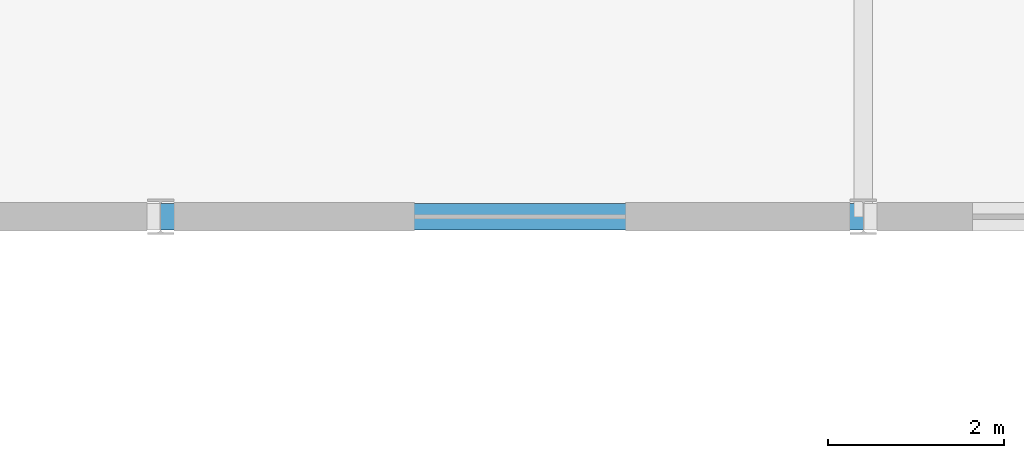
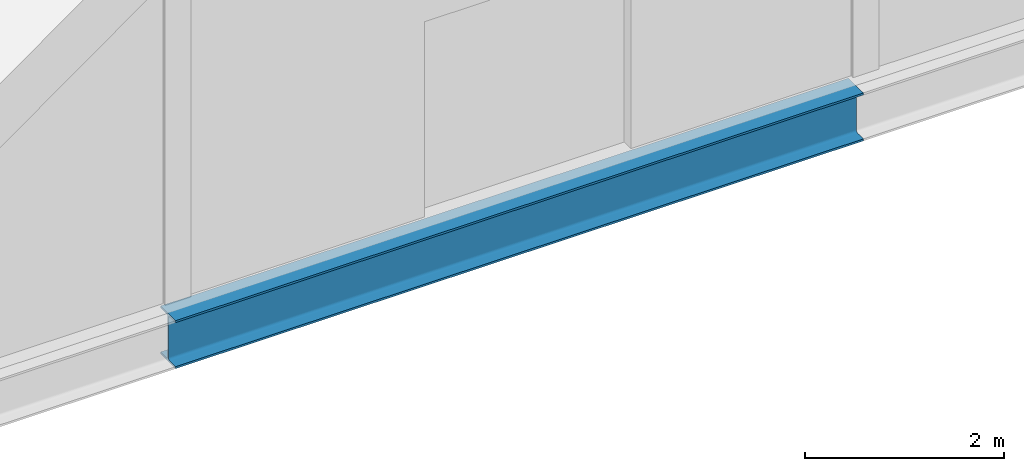
# One storey, part 39 of 101: 1 beam.
"""IFC4 building model written with IfcOpenShell, lengths in metres."""

from ifc_helpers import new_model, si_unit, derived_unit, direction, frame, origin, origin_2d, place, context, subcontext, project, spatial, i_section, extrude, material, material_profile, profile_set, type_object, element, save


model = new_model("IFC4")

# Units and contexts
model_context = context("Model", 3, precision=1e-05, world=origin(), true_north=direction((0.0, 1.0)))
body_context = subcontext(model_context, "Body", "Model", "MODEL_VIEW")
ifc_project = project(units=[si_unit("LENGTHUNIT", "METRE"), si_unit("AREAUNIT", "SQUARE_METRE"), si_unit("VOLUMEUNIT", "CUBIC_METRE"), si_unit("PLANEANGLEUNIT", "RADIAN"), si_unit("MASSUNIT", "GRAM", prefix="KILO"), derived_unit("THERMALTRANSMITTANCEUNIT", [(si_unit("POWERUNIT", "WATT"), 1), (si_unit("LENGTHUNIT", "METRE"), -2), (si_unit("THERMODYNAMICTEMPERATUREUNIT", "KELVIN"), -1)])], contexts=[model_context])

# Site, building, storey
site_placement = place(None, origin())
site = spatial("IfcSite", under=ifc_project, at=site_placement, CompositionType="ELEMENT")
building_placement = place(site_placement, origin())
building = spatial("IfcBuilding", under=site, at=building_placement, Name="Keldorne Ridge Multi-Sports Centre", CompositionType="ELEMENT")
storey_placement = place(building_placement, origin())
storey = spatial("IfcBuildingStorey", under=building, at=storey_placement, Name="L00", CompositionType="ELEMENT", Elevation=0.0)

# Beam
ifc_material = material(Name="Steel S355", Category="steel")
ifc_material_profile = material_profile(ifc_material, i_section(OverallWidth=0.300048828125, OverallDepth=0.590087890625, WebThickness=0.012939453125, FlangeThickness=0.02490234375, FilletRadius=0.027099609375, at=origin_2d()), Name="HEA 600")
ifc_profile_set = profile_set([ifc_material_profile], Name="Steel S355")
beam_type = type_object("IfcBeamType", Name="BM-B-06", PredefinedType="BEAM", material=ifc_profile_set)
beam_placement = place(storey_placement, frame((112.0, 66.0, -0.56494140625), z_axis=(1.0, 0.0, 0.0), x_axis=(0.0, 1.0, 0.0)))
element("IfcBeam", 1, at=beam_placement, inside=storey, type_object=beam_type, Name="L00 primary beam 2.66", PredefinedType="BEAM", context=body_context, shape_type="SweptSolid", body=[
    extrude(i_section(OverallWidth=0.300048828125, OverallDepth=0.590087890625, WebThickness=0.012939453125, FlangeThickness=0.02490234375, FilletRadius=0.027099609375, at=origin_2d()), origin(), (0.0, 0.0, 1.0), 8.0),
])

save(model, "model.ifc")
